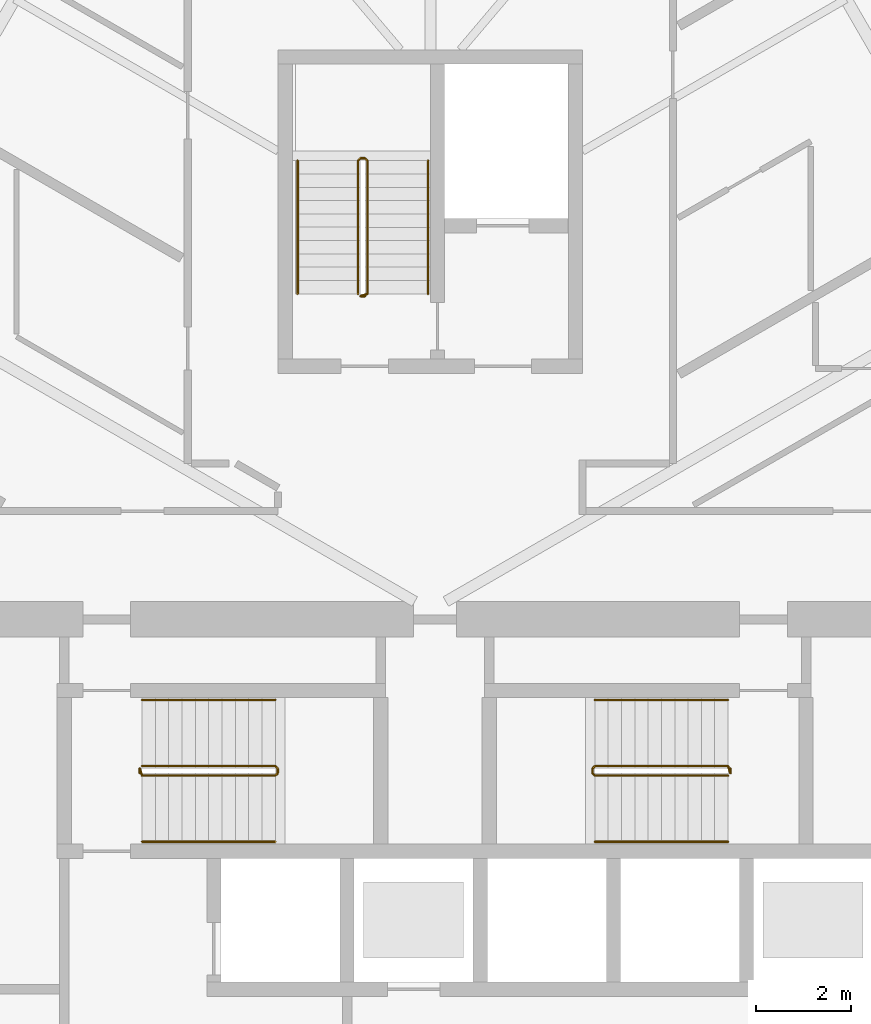
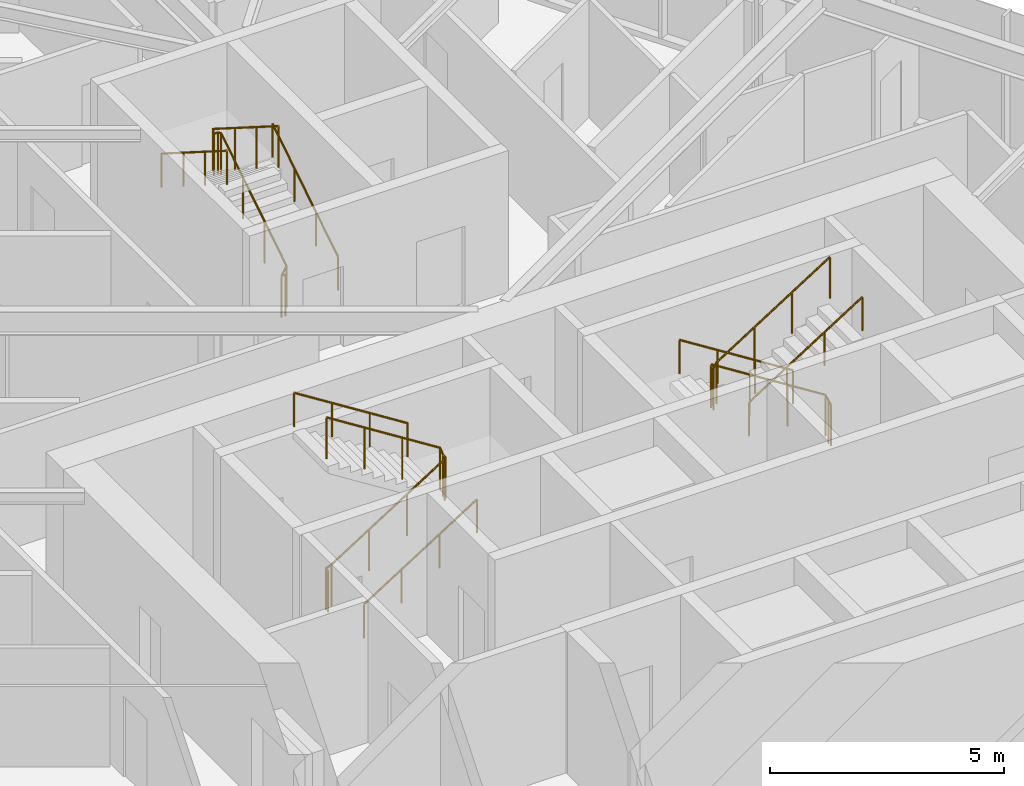
# One storey, part 19 of 20: 9 railings.
"""IFC4 building model written with IfcOpenShell, lengths in metres."""

from ifc_helpers import new_model, si_unit, direction, frame, origin, origin_2d, place, context, subcontext, project, spatial, circle, extrude, material, type_object, element, save


model = new_model("IFC4")

# Units and contexts
model_context = context("Model", 3, precision=1e-05, world=origin(), true_north=direction((0.0, 1.0)))
body_context = subcontext(model_context, "Body", "Model", "MODEL_VIEW")
ifc_project = project(units=[si_unit("LENGTHUNIT", "METRE"), si_unit("AREAUNIT", "SQUARE_METRE"), si_unit("VOLUMEUNIT", "CUBIC_METRE"), si_unit("PLANEANGLEUNIT", "RADIAN"), si_unit("MASSUNIT", "GRAM", prefix="KILO")], contexts=[model_context])

# Site, building, storey
site_placement = place(None, origin())
site = spatial("IfcSite", under=ifc_project, at=site_placement, CompositionType="ELEMENT")
building_placement = place(site_placement, origin())
building = spatial("IfcBuilding", under=site, at=building_placement, Name="Firuza Gate Tower and Library", CompositionType="ELEMENT")
storey_placement = place(building_placement, frame((0.0, 0.0, 214.300048828125)))
storey = spatial("IfcBuildingStorey", under=building, at=storey_placement, Name="L50", CompositionType="ELEMENT", Elevation=214.300048828125)

# Railings
ifc_material_1 = material(Name="Steel S355", Category="steel")
railing_type_1 = type_object("IfcRailingType", Name="Stair guard 1100", PredefinedType="GUARDRAIL", material=ifc_material_1)
railing_1_placement = place(storey_placement, frame((68.889892578125, 79.389892578125, 0.0)))
element("IfcRailing", 1, at=railing_1_placement, inside=storey, type_object=railing_type_1, Name="L50 ST1 stair guard 1", PredefinedType="GUARDRAIL", context=body_context, shape_type="SweptSolid", body=[
    extrude(circle(Radius=0.02392578125, at=origin_2d()), frame((0.0, 0.0, 1.076171875), z_axis=(0.0, 1.0, 0.0), x_axis=(-1.0, 0.0, 0.0)), (0.0, 0.0, 1.0), 0.10009765625),
    extrude(circle(Radius=0.02392578125, at=origin_2d()), frame((0.0, 0.10009765625, 1.076171875), z_axis=(0.210758951027, -0.631248760638, 0.74639511437), x_axis=(0.948528701346, 0.316691178788, 0.0)), (0.0, 0.0, 1.0), 0.237548828125),
    extrude(circle(Radius=0.02392578125, at=origin_2d()), frame((0.050048828125, -0.0498046875, 1.25341796875), z_axis=(0.844908973607, 0.0, 0.534910110503), x_axis=(0.0, 1.0, 0.0)), (0.0, 0.0, 1.0), 3.31396484375),
    extrude(circle(Radius=0.02392578125, at=origin_2d()), frame((2.85009765625, -0.0498046875, 3.02587890625), z_axis=(0.708833529934, 0.705375805398, 0.0), x_axis=(-0.705375805398, 0.708833529934, 0.0)), (0.0, 0.0, 1.0), 0.070556640625),
    extrude(circle(Radius=0.02392578125, at=origin_2d()), frame((2.900146484375, 0.0, 3.02587890625), z_axis=(0.0, 1.0, 0.0), x_axis=(-1.0, 0.0, 0.0)), (0.0, 0.0, 1.0), 0.10009765625),
    extrude(circle(Radius=0.02392578125, at=origin_2d()), frame((2.900146484375, 0.10009765625, 3.02587890625), z_axis=(-0.262233686654, 0.262233686654, 0.928691007369), x_axis=(-0.707106781187, -0.707106781187, 0.0)), (0.0, 0.0, 1.0), 0.19091796875),
    extrude(circle(Radius=0.02392578125, at=origin_2d()), frame((2.85009765625, 0.150146484375, 3.203125), z_axis=(-0.844908973607, 0.0, 0.534910110503), x_axis=(0.0, -1.0, 0.0)), (0.0, 0.0, 1.0), 3.31396484375),
    extrude(circle(Radius=0.02099609375, at=origin_2d()), origin(), (0.0, 0.0, 1.0), 1.052001953125),
    extrude(circle(Radius=0.02099609375, at=origin_2d()), frame((0.0, 0.10009765625, 0.0)), (0.0, 0.0, 1.0), 1.052001953125),
    extrude(circle(Radius=0.02099609375, at=origin_2d()), frame((0.050048828125, -0.0498046875, 0.17724609375)), (0.0, 0.0, 1.0), 1.052001953125),
    extrude(circle(Radius=0.02099609375, at=origin_2d()), frame((0.9833984375, -0.0498046875, 0.76806640625)), (0.0, 0.0, 1.0), 1.052001953125),
    extrude(circle(Radius=0.02099609375, at=origin_2d()), frame((1.916748046875, -0.0498046875, 1.359130859375)), (0.0, 0.0, 1.0), 1.052001953125),
    extrude(circle(Radius=0.02099609375, at=origin_2d()), frame((2.85009765625, -0.0498046875, 1.949951171875)), (0.0, 0.0, 1.0), 1.052001953125),
    extrude(circle(Radius=0.02099609375, at=origin_2d()), frame((2.900146484375, 0.0, 1.949951171875)), (0.0, 0.0, 1.0), 1.052001953125),
    extrude(circle(Radius=0.02099609375, at=origin_2d()), frame((2.900146484375, 0.10009765625, 1.949951171875)), (0.0, 0.0, 1.0), 1.052001953125),
    extrude(circle(Radius=0.02099609375, at=origin_2d()), frame((2.85009765625, 0.150146484375, 2.127197265625)), (0.0, 0.0, 1.0), 1.052001953125),
    extrude(circle(Radius=0.02099609375, at=origin_2d()), frame((1.916748046875, 0.150146484375, 2.718017578125)), (0.0, 0.0, 1.0), 1.052001953125),
    extrude(circle(Radius=0.02099609375, at=origin_2d()), frame((0.9833984375, 0.150146484375, 3.30908203125)), (0.0, 0.0, 1.0), 1.052001953125),
    extrude(circle(Radius=0.02099609375, at=origin_2d()), frame((0.050048828125, 0.150146484375, 3.89990234375)), (0.0, 0.0, 1.0), 1.052001953125),
])
railing_2_placement = place(storey_placement, frame((81.31005859375, 79.489990234375, 0.0)))
element("IfcRailing", 2, at=railing_2_placement, inside=storey, type_object=railing_type_1, Name="L50 ST2 stair guard 1", PredefinedType="GUARDRAIL", context=body_context, shape_type="SweptSolid", body=[
    extrude(circle(Radius=0.02392578125, at=origin_2d()), frame((0.0, 0.0, 1.076171875), z_axis=(0.0, -1.0, 0.0), x_axis=(1.0, 0.0, 0.0)), (0.0, 0.0, 1.0), 0.10009765625),
    extrude(circle(Radius=0.02392578125, at=origin_2d()), frame((0.0, -0.10009765625, 1.076171875), z_axis=(-0.210622194084, 0.631866582253, 0.74591079466), x_axis=(-0.948683298051, -0.316227766017, 0.0)), (0.0, 0.0, 1.0), 0.237548828125),
    extrude(circle(Radius=0.02392578125, at=origin_2d()), frame((-0.050048828125, 0.050048828125, 1.25341796875), z_axis=(-0.844908973607, 0.0, 0.534910110503), x_axis=(0.0, -1.0, 0.0)), (0.0, 0.0, 1.0), 3.31396484375),
    extrude(circle(Radius=0.02392578125, at=origin_2d()), frame((-2.85009765625, 0.050048828125, 3.02587890625), z_axis=(-0.707106781187, -0.707106781187, 0.0), x_axis=(0.707106781187, -0.707106781187, 0.0)), (0.0, 0.0, 1.0), 0.07080078125),
    extrude(circle(Radius=0.02392578125, at=origin_2d()), frame((-2.900146484375, 0.0, 3.02587890625), z_axis=(0.0, -1.0, 0.0), x_axis=(1.0, 0.0, 0.0)), (0.0, 0.0, 1.0), 0.10009765625),
    extrude(circle(Radius=0.02392578125, at=origin_2d()), frame((-2.900146484375, -0.10009765625, 3.02587890625), z_axis=(0.262321481514, -0.261041864531, 0.929001929653), x_axis=(0.705375805398, 0.708833529934, 0.0)), (0.0, 0.0, 1.0), 0.190673828125),
    extrude(circle(Radius=0.02392578125, at=origin_2d()), frame((-2.85009765625, -0.14990234375, 3.203125), z_axis=(0.844908973607, 0.0, 0.534910110503), x_axis=(0.0, 1.0, 0.0)), (0.0, 0.0, 1.0), 3.31396484375),
    extrude(circle(Radius=0.02099609375, at=origin_2d()), origin(), (0.0, 0.0, 1.0), 1.052001953125),
    extrude(circle(Radius=0.02099609375, at=origin_2d()), frame((0.0, -0.10009765625, 0.0)), (0.0, 0.0, 1.0), 1.052001953125),
    extrude(circle(Radius=0.02099609375, at=origin_2d()), frame((-0.050048828125, 0.050048828125, 0.17724609375)), (0.0, 0.0, 1.0), 1.052001953125),
    extrude(circle(Radius=0.02099609375, at=origin_2d()), frame((-0.9833984375, 0.050048828125, 0.76806640625)), (0.0, 0.0, 1.0), 1.052001953125),
    extrude(circle(Radius=0.02099609375, at=origin_2d()), frame((-1.916748046875, 0.050048828125, 1.359130859375)), (0.0, 0.0, 1.0), 1.052001953125),
    extrude(circle(Radius=0.02099609375, at=origin_2d()), frame((-2.85009765625, 0.050048828125, 1.949951171875)), (0.0, 0.0, 1.0), 1.052001953125),
    extrude(circle(Radius=0.02099609375, at=origin_2d()), frame((-2.900146484375, 0.0, 1.949951171875)), (0.0, 0.0, 1.0), 1.052001953125),
    extrude(circle(Radius=0.02099609375, at=origin_2d()), frame((-2.900146484375, -0.10009765625, 1.949951171875)), (0.0, 0.0, 1.0), 1.052001953125),
    extrude(circle(Radius=0.02099609375, at=origin_2d()), frame((-2.85009765625, -0.14990234375, 2.127197265625)), (0.0, 0.0, 1.0), 1.052001953125),
    extrude(circle(Radius=0.02099609375, at=origin_2d()), frame((-1.916748046875, -0.14990234375, 2.718017578125)), (0.0, 0.0, 1.0), 1.052001953125),
    extrude(circle(Radius=0.02099609375, at=origin_2d()), frame((-0.9833984375, -0.14990234375, 3.30908203125)), (0.0, 0.0, 1.0), 1.052001953125),
    extrude(circle(Radius=0.02099609375, at=origin_2d()), frame((-0.050048828125, -0.14990234375, 3.89990234375)), (0.0, 0.0, 1.0), 1.052001953125),
])
railing_3_placement = place(storey_placement, frame((73.6298828125, 89.419921875, 0.0)))
element("IfcRailing", 3, at=railing_3_placement, inside=storey, type_object=railing_type_1, Name="L50 ST3 stair guard 1", PredefinedType="GUARDRAIL", context=body_context, shape_type="SweptSolid", body=[
    extrude(circle(Radius=0.02392578125, at=origin_2d()), frame((0.0, 0.0, 1.076171875), z_axis=(-1.0, 0.0, 0.0), x_axis=(0.0, -1.0, 0.0)), (0.0, 0.0, 1.0), 0.099853515625),
    extrude(circle(Radius=0.02392578125, at=origin_2d()), frame((-0.099853515625, 0.0, 1.076171875), z_axis=(0.631248760638, 0.210758951027, 0.74639511437), x_axis=(-0.316691178788, 0.948528701346, 0.0)), (0.0, 0.0, 1.0), 0.237548828125),
    extrude(circle(Radius=0.02392578125, at=origin_2d()), frame((0.050048828125, 0.050048828125, 1.25341796875), z_axis=(0.0, 0.844908973607, 0.534910110503), x_axis=(-1.0, 0.0, 0.0)), (0.0, 0.0, 1.0), 3.31396484375),
    extrude(circle(Radius=0.02392578125, at=origin_2d()), frame((0.050048828125, 2.85009765625, 3.02587890625), z_axis=(-0.707106781187, 0.707106781187, 0.0), x_axis=(-0.707106781187, -0.707106781187, 0.0)), (0.0, 0.0, 1.0), 0.07080078125),
    extrude(circle(Radius=0.02392578125, at=origin_2d()), frame((0.0, 2.900146484375, 3.02587890625), z_axis=(-1.0, 0.0, 0.0), x_axis=(0.0, -1.0, 0.0)), (0.0, 0.0, 1.0), 0.099853515625),
    extrude(circle(Radius=0.02392578125, at=origin_2d()), frame((-0.099853515625, 2.900146484375, 3.02587890625), z_axis=(-0.262233686654, -0.262233686654, 0.928691007369), x_axis=(0.707106781187, -0.707106781187, 0.0)), (0.0, 0.0, 1.0), 0.19091796875),
    extrude(circle(Radius=0.02392578125, at=origin_2d()), frame((-0.14990234375, 2.85009765625, 3.203125), z_axis=(0.0, -0.844908973607, 0.534910110503), x_axis=(1.0, 0.0, 0.0)), (0.0, 0.0, 1.0), 3.31396484375),
    extrude(circle(Radius=0.02099609375, at=origin_2d()), origin(), (0.0, 0.0, 1.0), 1.052001953125),
    extrude(circle(Radius=0.02099609375, at=origin_2d()), frame((-0.099853515625, 0.0, 0.0)), (0.0, 0.0, 1.0), 1.052001953125),
    extrude(circle(Radius=0.02099609375, at=origin_2d()), frame((0.050048828125, 0.050048828125, 0.17724609375)), (0.0, 0.0, 1.0), 1.052001953125),
    extrude(circle(Radius=0.02099609375, at=origin_2d()), frame((0.050048828125, 0.9833984375, 0.76806640625)), (0.0, 0.0, 1.0), 1.052001953125),
    extrude(circle(Radius=0.02099609375, at=origin_2d()), frame((0.050048828125, 1.916748046875, 1.359130859375)), (0.0, 0.0, 1.0), 1.052001953125),
    extrude(circle(Radius=0.02099609375, at=origin_2d()), frame((0.050048828125, 2.85009765625, 1.949951171875)), (0.0, 0.0, 1.0), 1.052001953125),
    extrude(circle(Radius=0.02099609375, at=origin_2d()), frame((0.0, 2.900146484375, 1.949951171875)), (0.0, 0.0, 1.0), 1.052001953125),
    extrude(circle(Radius=0.02099609375, at=origin_2d()), frame((-0.099853515625, 2.900146484375, 1.949951171875)), (0.0, 0.0, 1.0), 1.052001953125),
    extrude(circle(Radius=0.02099609375, at=origin_2d()), frame((-0.14990234375, 2.85009765625, 2.127197265625)), (0.0, 0.0, 1.0), 1.052001953125),
    extrude(circle(Radius=0.02099609375, at=origin_2d()), frame((-0.14990234375, 1.916748046875, 2.718017578125)), (0.0, 0.0, 1.0), 1.052001953125),
    extrude(circle(Radius=0.02099609375, at=origin_2d()), frame((-0.14990234375, 0.9833984375, 3.30908203125)), (0.0, 0.0, 1.0), 1.052001953125),
    extrude(circle(Radius=0.02099609375, at=origin_2d()), frame((-0.14990234375, 0.050048828125, 3.89990234375)), (0.0, 0.0, 1.0), 1.052001953125),
])
ifc_material_2 = material(Name="Steel S355", Category="steel")
railing_type_2 = type_object("IfcRailingType", Name="Stair handrail 900", PredefinedType="HANDRAIL", material=ifc_material_2)
railing_4_placement = place(storey_placement, frame((68.93994140625, 77.949951171875, 0.17724609375)))
element("IfcRailing", 4, at=railing_4_placement, inside=storey, type_object=railing_type_2, Name="L50 ST1 stair handrail 1", PredefinedType="HANDRAIL", context=body_context, shape_type="SweptSolid", body=[
    extrude(circle(Radius=0.02392578125, at=origin_2d()), frame((0.0, 0.0, 0.8759765625), z_axis=(0.844908973607, 0.0, 0.534910110503), x_axis=(0.0, 1.0, 0.0)), (0.0, 0.0, 1.0), 3.31396484375),
    extrude(circle(Radius=0.02099609375, at=origin_2d()), origin(), (0.0, 0.0, 1.0), 0.851806640625),
    extrude(circle(Radius=0.02099609375, at=origin_2d()), frame((0.933349609375, 0.0, 0.5908203125)), (0.0, 0.0, 1.0), 0.851806640625),
    extrude(circle(Radius=0.02099609375, at=origin_2d()), frame((1.86669921875, 0.0, 1.181884765625)), (0.0, 0.0, 1.0), 0.851806640625),
    extrude(circle(Radius=0.02099609375, at=origin_2d()), frame((2.800048828125, 0.0, 1.772705078125)), (0.0, 0.0, 1.0), 0.851806640625),
])
for number, where, name in (
    (5, (71.739990234375, 80.929931640625, 2.127197265625), "L50 ST1 stair handrail 2"),
    (6, (81.260009765625, 80.929931640625, 0.17724609375), "L50 ST2 stair handrail 1"),
):
    element("IfcRailing", number, at=place(storey_placement, frame(where)), inside=storey, type_object=railing_type_2, Name=name, PredefinedType="HANDRAIL", context=body_context, shape_type="SweptSolid", body=[
        extrude(circle(Radius=0.02392578125, at=origin_2d()), frame((0.0, 0.0, 0.8759765625), z_axis=(-0.844908973607, 0.0, 0.534910110503), x_axis=(0.0, -1.0, 0.0)), (0.0, 0.0, 1.0), 3.31396484375),
        extrude(circle(Radius=0.02099609375, at=origin_2d()), origin(), (0.0, 0.0, 1.0), 0.851806640625),
        extrude(circle(Radius=0.02099609375, at=origin_2d()), frame((-0.933349609375, 0.0, 0.5908203125)), (0.0, 0.0, 1.0), 0.851806640625),
        extrude(circle(Radius=0.02099609375, at=origin_2d()), frame((-1.86669921875, 0.0, 1.181884765625)), (0.0, 0.0, 1.0), 0.851806640625),
        extrude(circle(Radius=0.02099609375, at=origin_2d()), frame((-2.800048828125, 0.0, 1.772705078125)), (0.0, 0.0, 1.0), 0.851806640625),
    ])
railing_5_placement = place(storey_placement, frame((78.4599609375, 77.949951171875, 2.127197265625)))
element("IfcRailing", 7, at=railing_5_placement, inside=storey, type_object=railing_type_2, Name="L50 ST2 stair handrail 2", PredefinedType="HANDRAIL", context=body_context, shape_type="SweptSolid", body=[
    extrude(circle(Radius=0.02392578125, at=origin_2d()), frame((0.0, 0.0, 0.8759765625), z_axis=(0.844908973607, 0.0, 0.534910110503), x_axis=(0.0, 1.0, 0.0)), (0.0, 0.0, 1.0), 3.31396484375),
    extrude(circle(Radius=0.02099609375, at=origin_2d()), origin(), (0.0, 0.0, 1.0), 0.851806640625),
    extrude(circle(Radius=0.02099609375, at=origin_2d()), frame((0.933349609375, 0.0, 0.5908203125)), (0.0, 0.0, 1.0), 0.851806640625),
    extrude(circle(Radius=0.02099609375, at=origin_2d()), frame((1.86669921875, 0.0, 1.181884765625)), (0.0, 0.0, 1.0), 0.851806640625),
    extrude(circle(Radius=0.02099609375, at=origin_2d()), frame((2.800048828125, 0.0, 1.772705078125)), (0.0, 0.0, 1.0), 0.851806640625),
])
railing_6_placement = place(storey_placement, frame((74.949951171875, 89.469970703125, 0.17724609375)))
element("IfcRailing", 8, at=railing_6_placement, inside=storey, type_object=railing_type_2, Name="L50 ST3 stair handrail 1", PredefinedType="HANDRAIL", context=body_context, shape_type="SweptSolid", body=[
    extrude(circle(Radius=0.02392578125, at=origin_2d()), frame((0.0, 0.0, 0.8759765625), z_axis=(0.0, 0.844908973607, 0.534910110503), x_axis=(-1.0, 0.0, 0.0)), (0.0, 0.0, 1.0), 3.31396484375),
    extrude(circle(Radius=0.02099609375, at=origin_2d()), origin(), (0.0, 0.0, 1.0), 0.851806640625),
    extrude(circle(Radius=0.02099609375, at=origin_2d()), frame((0.0, 0.933349609375, 0.5908203125)), (0.0, 0.0, 1.0), 0.851806640625),
    extrude(circle(Radius=0.02099609375, at=origin_2d()), frame((0.0, 1.86669921875, 1.181884765625)), (0.0, 0.0, 1.0), 0.851806640625),
    extrude(circle(Radius=0.02099609375, at=origin_2d()), frame((0.0, 2.800048828125, 1.772705078125)), (0.0, 0.0, 1.0), 0.851806640625),
])
railing_7_placement = place(storey_placement, frame((72.2099609375, 92.27001953125, 2.127197265625)))
element("IfcRailing", 9, at=railing_7_placement, inside=storey, type_object=railing_type_2, Name="L50 ST3 stair handrail 2", PredefinedType="HANDRAIL", context=body_context, shape_type="SweptSolid", body=[
    extrude(circle(Radius=0.02392578125, at=origin_2d()), frame((0.0, 0.0, 0.8759765625), z_axis=(0.0, -0.844908973607, 0.534910110503), x_axis=(1.0, 0.0, 0.0)), (0.0, 0.0, 1.0), 3.31396484375),
    extrude(circle(Radius=0.02099609375, at=origin_2d()), origin(), (0.0, 0.0, 1.0), 0.851806640625),
    extrude(circle(Radius=0.02099609375, at=origin_2d()), frame((0.0, -0.933349609375, 0.5908203125)), (0.0, 0.0, 1.0), 0.851806640625),
    extrude(circle(Radius=0.02099609375, at=origin_2d()), frame((0.0, -1.86669921875, 1.181884765625)), (0.0, 0.0, 1.0), 0.851806640625),
    extrude(circle(Radius=0.02099609375, at=origin_2d()), frame((0.0, -2.800048828125, 1.772705078125)), (0.0, 0.0, 1.0), 0.851806640625),
])

save(model, "model.ifc")
